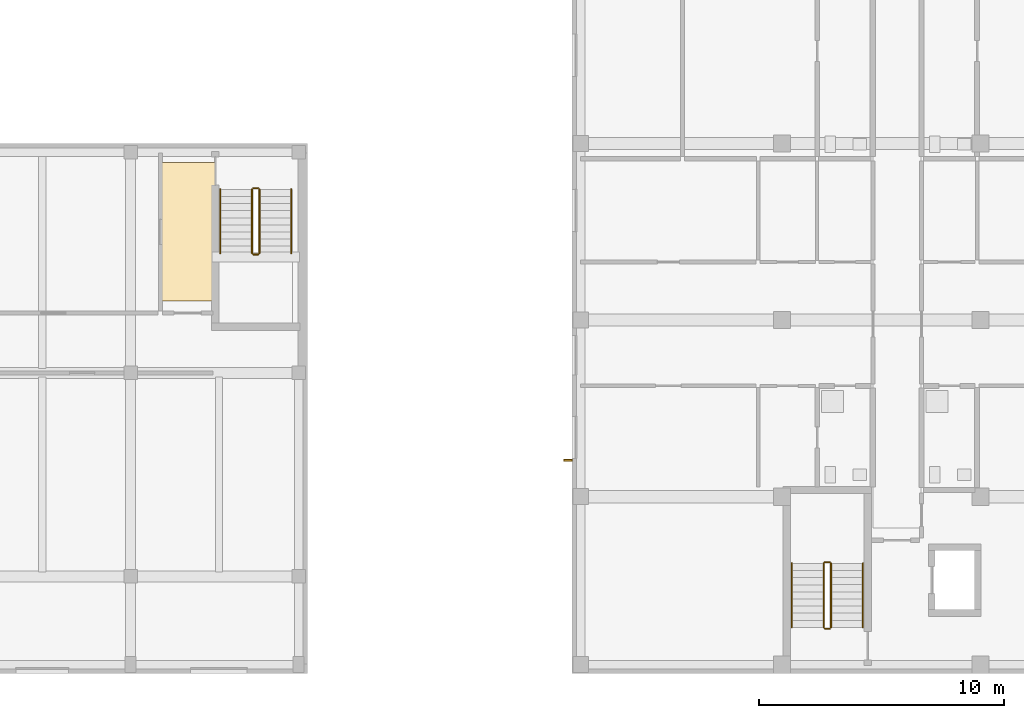
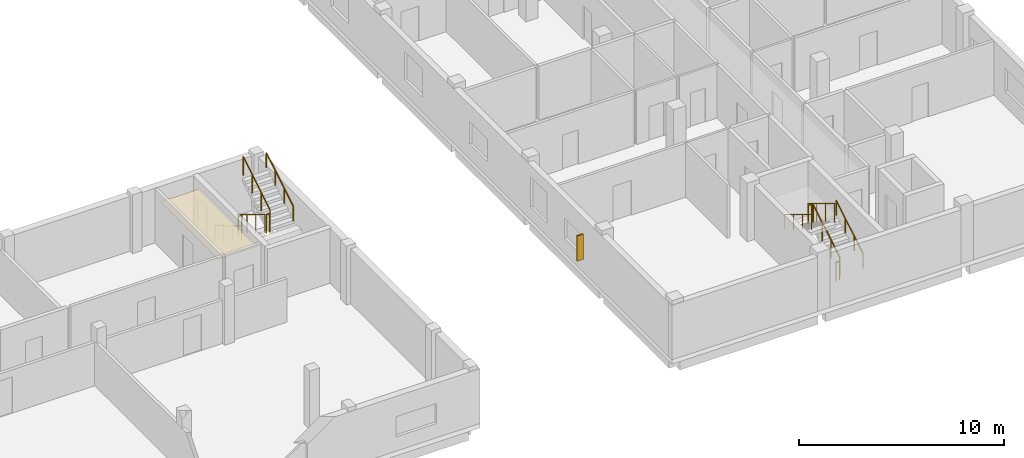
# One storey, part 67 of 73: 12 railings, 1 covering, 1 shading device.
"""IFC4 building model written with IfcOpenShell, lengths in metres."""

from ifc_helpers import new_model, si_unit, derived_unit, direction, frame, origin, origin_2d, place, context, subcontext, project, spatial, polyline, rectangle, circle, outline, extrude, material, layer, layer_set, type_object, element, save


model = new_model("IFC4")

# Units and contexts
model_context = context("Model", 3, precision=1e-05, world=origin(), true_north=direction((0.0, 1.0)))
body_context = subcontext(model_context, "Body", "Model", "MODEL_VIEW")
ifc_project = project(units=[si_unit("LENGTHUNIT", "METRE"), si_unit("AREAUNIT", "SQUARE_METRE"), si_unit("VOLUMEUNIT", "CUBIC_METRE"), si_unit("PLANEANGLEUNIT", "RADIAN"), si_unit("MASSUNIT", "GRAM", prefix="KILO"), derived_unit("THERMALTRANSMITTANCEUNIT", [(si_unit("MASSUNIT", "GRAM", prefix="KILO"), 1), (si_unit("TIMEUNIT", "SECOND"), -3), (si_unit("THERMODYNAMICTEMPERATUREUNIT", "KELVIN"), -1)])], contexts=[model_context])

# Site, building, storey
site_placement = place(None, origin())
site = spatial("IfcSite", under=ifc_project, at=site_placement, CompositionType="ELEMENT")
building_placement = place(site_placement, origin())
building = spatial("IfcBuilding", under=site, at=building_placement, Name="Ochrekiln Boulevard Commons", CompositionType="ELEMENT")
storey_placement = place(building_placement, frame((0.0, 0.0, 8.574951171875)))
storey = spatial("IfcBuildingStorey", under=building, at=storey_placement, Name="L02", CompositionType="ELEMENT", Elevation=8.574951171875)

# Covering
ifc_material_1 = material(Name="Mineral-fibre acoustic ceiling tile")
ifc_layer = layer(ifc_material_1, 0.02490234375)
ifc_layer_set = layer_set([ifc_layer], Name="Mineral-fibre acoustic ceiling tile")
covering_type = type_object("IfcCoveringType", Name="COV-CEIL-AC", PredefinedType="CEILING", material=ifc_layer_set)
covering_placement = place(storey_placement, frame((0.0, 0.0, 2.650146484375)))
element("IfcCovering", 1, at=covering_placement, inside=storey, type_object=covering_type, Name="L02 Acoustic Corridor Ceiling 38", PredefinedType="CEILING", context=body_context, shape_type="SweptSolid", body=[
    extrude(outline(polyline([(130.820068359375, 15.179931640625), (133.030029296875, 15.179931640625), (133.030029296875, 20.820068359375), (130.820068359375, 20.820068359375), (130.820068359375, 15.179931640625)])), origin(), (0.0, 0.0, 1.0), 0.02490234375),
])

# Railings
ifc_material_2 = material(Name="Brushed stainless steel 316 tubular railing", Category="steel")
railing_type_1 = type_object("IfcRailingType", Name="RLG-HDR-900", PredefinedType="HANDRAIL", material=ifc_material_2)
railing_1_placement = place(storey_placement, frame((159.449951171875, 1.8701171875, 0.175048828125)))
element("IfcRailing", 2, at=railing_1_placement, inside=storey, type_object=railing_type_1, Name="L02 ST-C1 stair handrail 1", PredefinedType="HANDRAIL", context=body_context, shape_type="SweptSolid", body=[
    extrude(circle(Radius=0.02392578125, at=origin_2d()), frame((0.0, 0.0, 0.8759765625), z_axis=(0.0, 0.85618277418, 0.516673066065), x_axis=(-1.0, 0.0, 0.0)), (0.0, 0.0, 1.0), 3.04833984375),
    extrude(circle(Radius=0.02099609375, at=origin_2d()), origin(), (0.0, 0.0, 1.0), 0.851806640625),
    extrude(circle(Radius=0.02099609375, at=origin_2d()), frame((0.0, 0.869873046875, 0.52490234375)), (0.0, 0.0, 1.0), 0.851806640625),
    extrude(circle(Radius=0.02099609375, at=origin_2d()), frame((0.0, 1.739990234375, 1.050048828125)), (0.0, 0.0, 1.0), 0.851806640625),
    extrude(circle(Radius=0.02099609375, at=origin_2d()), frame((0.0, 2.60986328125, 1.574951171875)), (0.0, 0.0, 1.0), 0.851806640625),
])
for number, where, name in (
    (3, (156.550048828125, 4.47998046875, 1.925048828125), "L02 ST-C1 stair handrail 2"),
    (4, (133.25, 19.72998046875, 0.175048828125), "L02 ST-E2 stair handrail 1"),
):
    element("IfcRailing", number, at=place(storey_placement, frame(where)), inside=storey, type_object=railing_type_1, Name=name, PredefinedType="HANDRAIL", context=body_context, shape_type="SweptSolid", body=[
        extrude(circle(Radius=0.02392578125, at=origin_2d()), frame((0.0, 0.0, 0.8759765625), z_axis=(0.0, -0.85618277418, 0.516673066065), x_axis=(1.0, 0.0, 0.0)), (0.0, 0.0, 1.0), 3.04833984375),
        extrude(circle(Radius=0.02099609375, at=origin_2d()), origin(), (0.0, 0.0, 1.0), 0.851806640625),
        extrude(circle(Radius=0.02099609375, at=origin_2d()), frame((0.0, -0.869873046875, 0.52490234375)), (0.0, 0.0, 1.0), 0.851806640625),
        extrude(circle(Radius=0.02099609375, at=origin_2d()), frame((0.0, -1.739990234375, 1.050048828125)), (0.0, 0.0, 1.0), 0.851806640625),
        extrude(circle(Radius=0.02099609375, at=origin_2d()), frame((0.0, -2.60986328125, 1.574951171875)), (0.0, 0.0, 1.0), 0.851806640625),
    ])
railing_2_placement = place(storey_placement, frame((136.14990234375, 17.1201171875, 1.925048828125)))
element("IfcRailing", 5, at=railing_2_placement, inside=storey, type_object=railing_type_1, Name="L02 ST-E2 stair handrail 2", PredefinedType="HANDRAIL", context=body_context, shape_type="SweptSolid", body=[
    extrude(circle(Radius=0.02392578125, at=origin_2d()), frame((0.0, 0.0, 0.8759765625), z_axis=(0.0, 0.85618277418, 0.516673066065), x_axis=(-1.0, 0.0, 0.0)), (0.0, 0.0, 1.0), 3.04833984375),
    extrude(circle(Radius=0.02099609375, at=origin_2d()), origin(), (0.0, 0.0, 1.0), 0.851806640625),
    extrude(circle(Radius=0.02099609375, at=origin_2d()), frame((0.0, 0.869873046875, 0.52490234375)), (0.0, 0.0, 1.0), 0.851806640625),
    extrude(circle(Radius=0.02099609375, at=origin_2d()), frame((0.0, 1.739990234375, 1.050048828125)), (0.0, 0.0, 1.0), 0.851806640625),
    extrude(circle(Radius=0.02099609375, at=origin_2d()), frame((0.0, 2.60986328125, 1.574951171875)), (0.0, 0.0, 1.0), 0.851806640625),
])
railing_type_2 = type_object("IfcRailingType", Name="RLG-STR-1120", PredefinedType="BALUSTRADE", material=ifc_material_2)
railing_3_placement = place(storey_placement, frame((158.14990234375, 1.8701171875, 0.175048828125)))
element("IfcRailing", 6, at=railing_3_placement, inside=storey, type_object=railing_type_2, Name="L02 ST-C1 stair guard 1", PredefinedType="BALUSTRADE", context=body_context, shape_type="SweptSolid", body=[
    extrude(circle(Radius=0.02392578125, at=origin_2d()), frame((0.0, 0.0, 1.09619140625), z_axis=(0.0, 0.85618277418, 0.516673066065), x_axis=(-1.0, 0.0, 0.0)), (0.0, 0.0, 1.0), 3.04833984375),
    extrude(circle(Radius=0.02099609375, at=origin_2d()), origin(), (0.0, 0.0, 1.0), 1.072021484375),
    extrude(circle(Radius=0.02099609375, at=origin_2d()), frame((0.0, 0.869873046875, 0.52490234375)), (0.0, 0.0, 1.0), 1.072021484375),
    extrude(circle(Radius=0.02099609375, at=origin_2d()), frame((0.0, 1.739990234375, 1.050048828125)), (0.0, 0.0, 1.0), 1.072021484375),
    extrude(circle(Radius=0.02099609375, at=origin_2d()), frame((0.0, 2.60986328125, 1.574951171875)), (0.0, 0.0, 1.0), 1.072021484375),
])
railing_4_placement = place(storey_placement, frame((158.10009765625, 4.530029296875, 1.75)))
element("IfcRailing", 7, at=railing_4_placement, inside=storey, type_object=railing_type_2, Name="L02 ST-C1 stair guard 2", PredefinedType="BALUSTRADE", context=body_context, shape_type="SweptSolid", body=[
    extrude(circle(Radius=0.02392578125, at=origin_2d()), frame((0.0, 0.0, 1.09619140625), z_axis=(-1.0, 0.0, 0.0), x_axis=(0.0, -1.0, 0.0)), (0.0, 0.0, 1.0), 0.2001953125),
    extrude(circle(Radius=0.02099609375, at=origin_2d()), origin(), (0.0, 0.0, 1.0), 1.072021484375),
    extrude(circle(Radius=0.02099609375, at=origin_2d()), frame((-0.2001953125, 0.0, 0.0)), (0.0, 0.0, 1.0), 1.072021484375),
])
railing_5_placement = place(storey_placement, frame((157.85009765625, 4.47998046875, 1.925048828125)))
element("IfcRailing", 8, at=railing_5_placement, inside=storey, type_object=railing_type_2, Name="L02 ST-C1 stair guard 3", PredefinedType="BALUSTRADE", context=body_context, shape_type="SweptSolid", body=[
    extrude(circle(Radius=0.02392578125, at=origin_2d()), frame((0.0, 0.0, 1.09619140625), z_axis=(0.0, -0.85618277418, 0.516673066065), x_axis=(1.0, 0.0, 0.0)), (0.0, 0.0, 1.0), 3.04833984375),
    extrude(circle(Radius=0.02099609375, at=origin_2d()), origin(), (0.0, 0.0, 1.0), 1.072021484375),
    extrude(circle(Radius=0.02099609375, at=origin_2d()), frame((0.0, -0.869873046875, 0.52490234375)), (0.0, 0.0, 1.0), 1.072021484375),
    extrude(circle(Radius=0.02099609375, at=origin_2d()), frame((0.0, -1.739990234375, 1.050048828125)), (0.0, 0.0, 1.0), 1.072021484375),
    extrude(circle(Radius=0.02099609375, at=origin_2d()), frame((0.0, -2.60986328125, 1.574951171875)), (0.0, 0.0, 1.0), 1.072021484375),
])
railing_6_placement = place(storey_placement, frame((158.10009765625, 1.820068359375, 0.0)))
element("IfcRailing", 9, at=railing_6_placement, inside=storey, type_object=railing_type_2, Name="L02 ST-C1 stair guard 4", PredefinedType="BALUSTRADE", context=body_context, shape_type="SweptSolid", body=[
    extrude(circle(Radius=0.02392578125, at=origin_2d()), frame((0.0, 0.0, 1.09619140625), z_axis=(-1.0, 0.0, 0.0), x_axis=(0.0, -1.0, 0.0)), (0.0, 0.0, 1.0), 0.2001953125),
    extrude(circle(Radius=0.02099609375, at=origin_2d()), origin(), (0.0, 0.0, 1.0), 1.072021484375),
    extrude(circle(Radius=0.02099609375, at=origin_2d()), frame((-0.2001953125, 0.0, 0.0)), (0.0, 0.0, 1.0), 1.072021484375),
])
railing_7_placement = place(storey_placement, frame((134.550048828125, 19.72998046875, 0.175048828125)))
element("IfcRailing", 10, at=railing_7_placement, inside=storey, type_object=railing_type_2, Name="L02 ST-E2 stair guard 1", PredefinedType="BALUSTRADE", context=body_context, shape_type="SweptSolid", body=[
    extrude(circle(Radius=0.02392578125, at=origin_2d()), frame((0.0, 0.0, 1.09619140625), z_axis=(0.0, -0.85618277418, 0.516673066065), x_axis=(1.0, 0.0, 0.0)), (0.0, 0.0, 1.0), 3.04833984375),
    extrude(circle(Radius=0.02099609375, at=origin_2d()), origin(), (0.0, 0.0, 1.0), 1.072021484375),
    extrude(circle(Radius=0.02099609375, at=origin_2d()), frame((0.0, -0.869873046875, 0.52490234375)), (0.0, 0.0, 1.0), 1.072021484375),
    extrude(circle(Radius=0.02099609375, at=origin_2d()), frame((0.0, -1.739990234375, 1.050048828125)), (0.0, 0.0, 1.0), 1.072021484375),
    extrude(circle(Radius=0.02099609375, at=origin_2d()), frame((0.0, -2.60986328125, 1.574951171875)), (0.0, 0.0, 1.0), 1.072021484375),
])
railing_8_placement = place(storey_placement, frame((134.60009765625, 17.070068359375, 1.75)))
element("IfcRailing", 11, at=railing_8_placement, inside=storey, type_object=railing_type_2, Name="L02 ST-E2 stair guard 2", PredefinedType="BALUSTRADE", context=body_context, shape_type="SweptSolid", body=[
    extrude(circle(Radius=0.02392578125, at=origin_2d()), frame((0.0, 0.0, 1.09619140625), z_axis=(1.0, 0.0, 0.0), x_axis=(0.0, 1.0, 0.0)), (0.0, 0.0, 1.0), 0.199951171875),
    extrude(circle(Radius=0.02099609375, at=origin_2d()), origin(), (0.0, 0.0, 1.0), 1.072021484375),
    extrude(circle(Radius=0.02099609375, at=origin_2d()), frame((0.199951171875, 0.0, 0.0)), (0.0, 0.0, 1.0), 1.072021484375),
])
railing_9_placement = place(storey_placement, frame((134.85009765625, 17.1201171875, 1.925048828125)))
element("IfcRailing", 12, at=railing_9_placement, inside=storey, type_object=railing_type_2, Name="L02 ST-E2 stair guard 3", PredefinedType="BALUSTRADE", context=body_context, shape_type="SweptSolid", body=[
    extrude(circle(Radius=0.02392578125, at=origin_2d()), frame((0.0, 0.0, 1.09619140625), z_axis=(0.0, 0.85618277418, 0.516673066065), x_axis=(-1.0, 0.0, 0.0)), (0.0, 0.0, 1.0), 3.04833984375),
    extrude(circle(Radius=0.02099609375, at=origin_2d()), origin(), (0.0, 0.0, 1.0), 1.072021484375),
    extrude(circle(Radius=0.02099609375, at=origin_2d()), frame((0.0, 0.869873046875, 0.52490234375)), (0.0, 0.0, 1.0), 1.072021484375),
    extrude(circle(Radius=0.02099609375, at=origin_2d()), frame((0.0, 1.739990234375, 1.050048828125)), (0.0, 0.0, 1.0), 1.072021484375),
    extrude(circle(Radius=0.02099609375, at=origin_2d()), frame((0.0, 2.60986328125, 1.574951171875)), (0.0, 0.0, 1.0), 1.072021484375),
])
railing_10_placement = place(storey_placement, frame((134.60009765625, 19.780029296875, 0.0)))
element("IfcRailing", 13, at=railing_10_placement, inside=storey, type_object=railing_type_2, Name="L02 ST-E2 stair guard 4", PredefinedType="BALUSTRADE", context=body_context, shape_type="SweptSolid", body=[
    extrude(circle(Radius=0.02392578125, at=origin_2d()), frame((0.0, 0.0, 1.09619140625), z_axis=(1.0, 0.0, 0.0), x_axis=(0.0, 1.0, 0.0)), (0.0, 0.0, 1.0), 0.199951171875),
    extrude(circle(Radius=0.02099609375, at=origin_2d()), origin(), (0.0, 0.0, 1.0), 1.072021484375),
    extrude(circle(Radius=0.02099609375, at=origin_2d()), frame((0.199951171875, 0.0, 0.0)), (0.0, 0.0, 1.0), 1.072021484375),
])

# Shading device
ifc_material_3 = material(Name="Glazed architectural terracotta ASTM C1405", Category="masonry")
shading_device_type = type_object("IfcShadingDeviceType", Name="SHD-FIN-TERRA", PredefinedType="JALOUSIE", material=ifc_material_3)
shading_device_placement = place(storey_placement, frame((147.429931640625, 8.678955078125, 0.75), z_axis=(0.0, 0.0, 1.0), x_axis=(1.0, 0.0, 0.0)))
element("IfcShadingDevice", 14, at=shading_device_placement, inside=storey, type_object=shading_device_type, Name="Terracotta Solar Shading Fin SF-01 (56)", PredefinedType="JALOUSIE", context=body_context, shape_type="SweptSolid", body=[
    extrude(rectangle(XDim=0.35009765625, YDim=0.080078125, at=origin_2d()), origin(), (0.0, 0.0, 1.0), 1.5),
])

save(model, "model.ifc")
